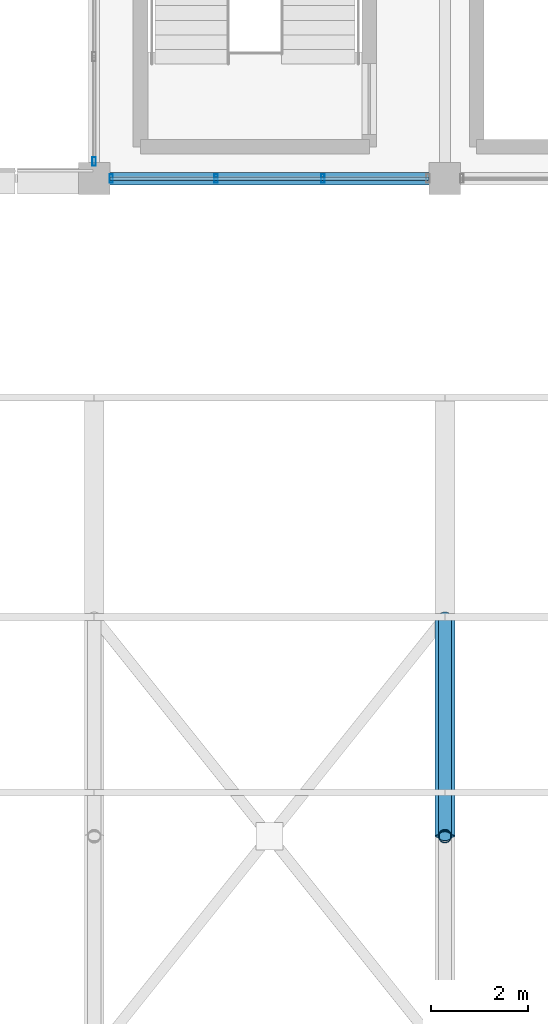
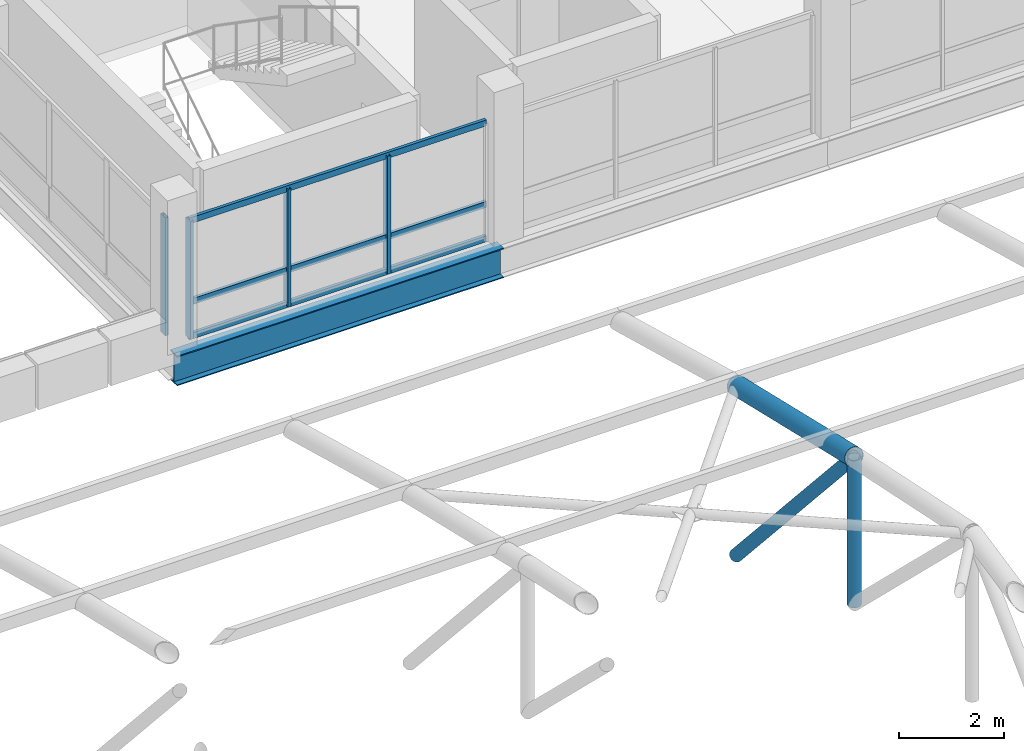
# One storey, part 33 of 96: 10 members, 1 beam, 2 elements without a shape of their own.
"""IFC4 building model written with IfcOpenShell, lengths in metres."""

from ifc_helpers import new_model, si_unit, direction, frame, origin, origin_2d, place, context, subcontext, project, spatial, hollow_rectangle, hollow_circle, i_section, extrude, material, material_profile, profile_set, type_object, element, aggregate, save


model = new_model("IFC4")

# Units and contexts
model_context = context("Model", 3, precision=1e-05, world=origin(), true_north=direction((0.0, 1.0)))
body_context = subcontext(model_context, "Body", "Model", "MODEL_VIEW")
ifc_project = project(units=[si_unit("LENGTHUNIT", "METRE"), si_unit("AREAUNIT", "SQUARE_METRE"), si_unit("VOLUMEUNIT", "CUBIC_METRE"), si_unit("PLANEANGLEUNIT", "RADIAN"), si_unit("MASSUNIT", "GRAM", prefix="KILO")], contexts=[model_context])

# Site, building, storey
site_placement = place(None, origin())
site = spatial("IfcSite", under=ifc_project, at=site_placement, CompositionType="ELEMENT")
building_placement = place(site_placement, origin())
building = spatial("IfcBuilding", under=site, at=building_placement, Name="Yarey Park Central Fire Station", CompositionType="ELEMENT")
storey_placement = place(building_placement, frame((0.0, 0.0, 14.39990234375)))
storey = spatial("IfcBuildingStorey", under=building, at=storey_placement, Name="L04", CompositionType="ELEMENT", Elevation=14.39990234375)

# Curtain wall, members
ifc_material_1 = material(Name="Anodized Aluminium Frame", Category="aluminium")
curtain_wall_type = type_object("IfcCurtainWallType", Name="ENV_CW_HQ_L04", PredefinedType="NOTDEFINED", material=ifc_material_1)
curtain_wall_1_placement = place(storey_placement, origin())
curtain_wall_1 = element("IfcCurtainWall", 1, at=curtain_wall_1_placement, inside=storey, type_object=curtain_wall_type, Name="CW_L04_V4_S_1", PredefinedType="NOTDEFINED")
ifc_material_profile_1 = material_profile(ifc_material_1, hollow_rectangle(XDim=0.070068359375, YDim=0.179931640625, WallThickness=0.00390625, at=origin_2d()), Name="ALU 180x70x4")
ifc_profile_set_1 = profile_set([ifc_material_profile_1], Name="Anodized Aluminium Frame")
member_type_1 = type_object("IfcMemberType", Name="ENV_CW_MULLION", PredefinedType="MULLION", material=ifc_profile_set_1)
member_1_placement = place(storey_placement, frame((115.550048828125, 93.60009765625, 0.0), z_axis=(0.0, 0.0, 1.0), x_axis=(1.0, 0.0, 0.0)))
member_1 = element("IfcMember", 2, at=member_1_placement, type_object=member_type_1, Name="CW_L04_V4_S_1_MUL1", PredefinedType="MULLION", context=body_context, shape_type="SweptSolid", body=[
    extrude(hollow_rectangle(XDim=0.070068359375, YDim=0.179931640625, WallThickness=0.00390625, at=origin_2d()), origin(), (0.0, 0.0, 1.0), 2.75),
])
member_2_placement = place(storey_placement, frame((117.703369140625, 93.60009765625, 0.0), z_axis=(0.0, 0.0, 1.0), x_axis=(1.0, 0.0, 0.0)))
member_2 = element("IfcMember", 3, at=member_2_placement, type_object=member_type_1, Name="CW_L04_V4_S_1_MUL2", PredefinedType="MULLION", context=body_context, shape_type="SweptSolid", body=[
    extrude(hollow_rectangle(XDim=0.070068359375, YDim=0.179931640625, WallThickness=0.00390625, at=origin_2d()), origin(), (0.0, 0.0, 1.0), 2.75),
])
member_3_placement = place(storey_placement, frame((119.896728515625, 93.60009765625, 0.0), z_axis=(0.0, 0.0, 1.0), x_axis=(1.0, 0.0, 0.0)))
member_3 = element("IfcMember", 4, at=member_3_placement, type_object=member_type_1, Name="CW_L04_V4_S_1_MUL3", PredefinedType="MULLION", context=body_context, shape_type="SweptSolid", body=[
    extrude(hollow_rectangle(XDim=0.070068359375, YDim=0.179931640625, WallThickness=0.00390625, at=origin_2d()), origin(), (0.0, 0.0, 1.0), 2.75),
])

# Curtain wall, member
curtain_wall_2_placement = place(storey_placement, origin())
curtain_wall_2 = element("IfcCurtainWall", 5, at=curtain_wall_2_placement, inside=storey, type_object=curtain_wall_type, Name="CW_L04_V4_W_93", PredefinedType="NOTDEFINED")
member_4_placement = place(storey_placement, frame((115.199951171875, 93.949951171875, 0.0), z_axis=(0.0, 0.0, 1.0), x_axis=(1.0, 0.0, 0.0)))
member_4 = element("IfcMember", 6, at=member_4_placement, type_object=member_type_1, Name="CW_L04_V4_W_93_MUL4", PredefinedType="MULLION", context=body_context, shape_type="SweptSolid", body=[
    extrude(hollow_rectangle(XDim=0.070068359375, YDim=0.179931640625, WallThickness=0.00390625, at=origin_2d()), origin(), (0.0, 0.0, 1.0), 2.75),
])
aggregate(curtain_wall_2, [member_4])

# Member
ifc_material_profile_2 = material_profile(ifc_material_1, hollow_rectangle(XDim=0.070068359375, YDim=0.139892578125, WallThickness=0.00390625, at=origin_2d()), Name="ALU 140x70x4")
ifc_profile_set_2 = profile_set([ifc_material_profile_2], Name="Anodized Aluminium Frame")
member_type_2 = type_object("IfcMemberType", Name="ENV_CW_TRANSOM", PredefinedType="USERDEFINED", material=ifc_profile_set_2)
member_5_placement = place(storey_placement, frame((115.52490234375, 93.60009765625, 0.025146484375), z_axis=(1.0, 0.0, 0.0), x_axis=(0.0, 1.0, 0.0)))
member_5 = element("IfcMember", 7, at=member_5_placement, type_object=member_type_2, Name="CW_L04_V4_S_1_TRN1", ObjectType="TRANSOM", PredefinedType="USERDEFINED", context=body_context, shape_type="SweptSolid", body=[
    extrude(hollow_rectangle(XDim=0.070068359375, YDim=0.139892578125, WallThickness=0.00390625, at=origin_2d()), origin(), (0.0, 0.0, 1.0), 6.550048828125),
])

member_6_placement = place(storey_placement, frame((115.52490234375, 93.60009765625, 0.8251953125), z_axis=(1.0, 0.0, 0.0), x_axis=(0.0, 1.0, 0.0)))
member_6 = element("IfcMember", 8, at=member_6_placement, type_object=member_type_2, Name="CW_L04_V4_S_1_TRN2", ObjectType="TRANSOM", PredefinedType="USERDEFINED", context=body_context, shape_type="SweptSolid", body=[
    extrude(hollow_rectangle(XDim=0.070068359375, YDim=0.139892578125, WallThickness=0.00390625, at=origin_2d()), origin(), (0.0, 0.0, 1.0), 6.550048828125),
])

member_7_placement = place(storey_placement, frame((115.52490234375, 93.60009765625, 2.72509765625), z_axis=(1.0, 0.0, 0.0), x_axis=(0.0, 1.0, 0.0)))
member_7 = element("IfcMember", 9, at=member_7_placement, type_object=member_type_2, Name="CW_L04_V4_S_1_TRN3", ObjectType="TRANSOM", PredefinedType="USERDEFINED", context=body_context, shape_type="SweptSolid", body=[
    extrude(hollow_rectangle(XDim=0.070068359375, YDim=0.139892578125, WallThickness=0.00390625, at=origin_2d()), origin(), (0.0, 0.0, 1.0), 6.550048828125),
])

aggregate(curtain_wall_1, [member_1, member_2, member_3, member_5, member_6, member_7])

# Beam
ifc_material_2 = material(Name="Steel ASTM A992 Gr. 50", Category="steel")
ifc_material_profile_3 = material_profile(ifc_material_2, i_section(OverallWidth=0.256103515625, OverallDepth=0.693115234375, WebThickness=0.014404296875, FlangeThickness=0.023681640625, at=origin_2d()), Name="W690x170")
ifc_profile_set_3 = profile_set([ifc_material_profile_3], Name="Steel ASTM A992 Gr. 50")
beam_type = type_object("IfcBeamType", Name="STR_BM_W690", PredefinedType="BEAM", material=ifc_profile_set_3)
beam_placement = place(storey_placement, frame((115.199951171875, 93.60009765625, -0.596435546875), z_axis=(1.0, 0.0, 0.0), x_axis=(0.0, 1.0, 0.0)))
element("IfcBeam", 10, at=beam_placement, inside=storey, type_object=beam_type, Name="BMX L04 Y936 X1152", PredefinedType="BEAM", context=body_context, shape_type="SweptSolid", body=[
    extrude(i_section(OverallWidth=0.256103515625, OverallDepth=0.693115234375, WebThickness=0.014404296875, FlangeThickness=0.023681640625, at=origin_2d()), origin(), (0.0, 0.0, 1.0), 7.199951171875),
])

# Members
ifc_material_3 = material(Name="Steel ASTM A500 Gr. C", Category="steel")
ifc_material_profile_4 = material_profile(ifc_material_3, hollow_circle(Radius=0.203125, WallThickness=0.01611328125, at=origin_2d()), Name="CHS 406.4x16")
ifc_profile_set_4 = profile_set([ifc_material_profile_4], Name="Steel ASTM A500 Gr. C")
member_type_3 = type_object("IfcMemberType", Name="STR_CHORD_CHS406", PredefinedType="CHORD", material=ifc_profile_set_4)
member_8_placement = place(storey_placement, frame((122.39990234375, 80.10009765625, 2.99609375), z_axis=(0.0, 0.97355760432, -0.228441657915), x_axis=(-1.0, 0.0, 0.0)))
element("IfcMember", 11, at=member_8_placement, inside=storey, type_object=member_type_3, Name="Arched Roof Truss ART_10 Top Chord 6", PredefinedType="CHORD", context=body_context, shape_type="SweptSolid", body=[
    extrude(hollow_circle(Radius=0.203125, WallThickness=0.01611328125, at=origin_2d()), origin(), (0.0, 0.0, 1.0), 4.622314453125),
])
ifc_material_profile_5 = material_profile(ifc_material_3, hollow_circle(Radius=0.136474609375, WallThickness=0.012451171875, at=origin_2d()), Name="CHS 273x12.5")
ifc_profile_set_5 = profile_set([ifc_material_profile_5], Name="Steel ASTM A500 Gr. C")
member_type_4 = type_object("IfcMemberType", Name="STR_WEB_CHS273", PredefinedType="BRACE", material=ifc_profile_set_5)
member_9_placement = place(storey_placement, frame((122.39990234375, 80.10009765625, 2.99609375), z_axis=(0.0, 0.667414870686, -0.744686101916), x_axis=(-1.0, 0.0, 0.0)))
element("IfcMember", 12, at=member_9_placement, inside=storey, type_object=member_type_4, Name="Arched Roof Truss ART_10 Diagonal 6", PredefinedType="BRACE", context=body_context, shape_type="SweptSolid", body=[
    extrude(hollow_circle(Radius=0.136474609375, WallThickness=0.012451171875, at=origin_2d()), origin(), (0.0, 0.0, 1.0), 6.742431640625),
])
member_10_placement = place(storey_placement, frame((122.39990234375, 80.10009765625, -0.43115234375), z_axis=(0.0, 0.0, 1.0), x_axis=(1.0, 0.0, 0.0)))
element("IfcMember", 13, at=member_10_placement, inside=storey, type_object=member_type_4, Name="Arched Roof Truss ART_10 Vertical 6", PredefinedType="BRACE", context=body_context, shape_type="SweptSolid", body=[
    extrude(hollow_circle(Radius=0.136474609375, WallThickness=0.012451171875, at=origin_2d()), origin(), (0.0, 0.0, 1.0), 3.42724609375),
])

save(model, "model.ifc")
